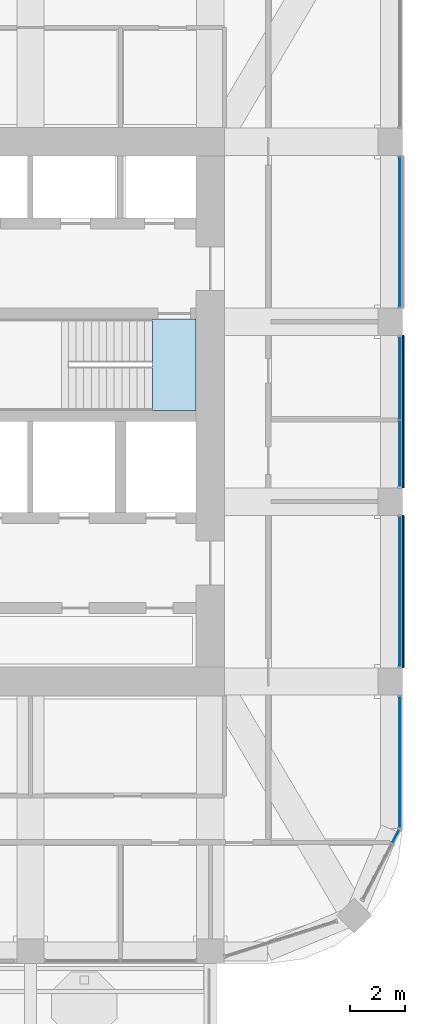
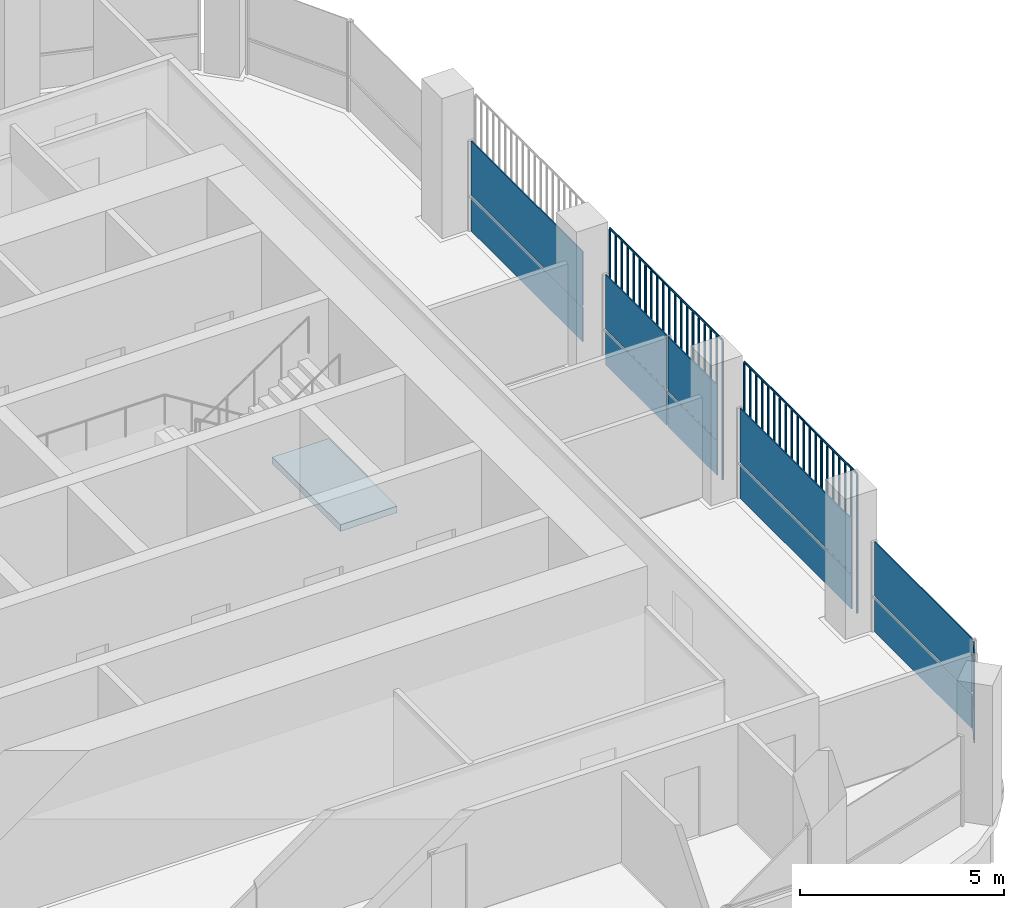
# One storey, part 11 of 21: 14 plates, 1 slab, 6 elements without a shape of their own.
"""IFC4 building model written with IfcOpenShell, lengths in metres."""

from ifc_helpers import new_model, si_unit, direction, frame, origin, origin_2d, place, context, subcontext, project, spatial, polyline, rectangle, outline, extrude, material, layer, layer_set, type_object, element, aggregate, save


model = new_model("IFC4")

# Units and contexts
model_context = context("Model", 3, precision=1e-05, world=origin(), true_north=direction((0.0, 1.0)))
body_context = subcontext(model_context, "Body", "Model", "MODEL_VIEW")
ifc_project = project(units=[si_unit("LENGTHUNIT", "METRE"), si_unit("AREAUNIT", "SQUARE_METRE"), si_unit("VOLUMEUNIT", "CUBIC_METRE"), si_unit("PLANEANGLEUNIT", "RADIAN"), si_unit("MASSUNIT", "GRAM", prefix="KILO")], contexts=[model_context])

# Site, building, storey
site_placement = place(None, origin())
site = spatial("IfcSite", under=ifc_project, at=site_placement, CompositionType="ELEMENT")
building_placement = place(site_placement, origin())
building = spatial("IfcBuilding", under=site, at=building_placement, Name="Cobogo Forest Laboratory Tower", CompositionType="ELEMENT")
storey_placement = place(building_placement, frame((0.0, 0.0, 283.800048828125)))
storey = spatial("IfcBuildingStorey", under=building, at=storey_placement, Name="L65", CompositionType="ELEMENT", Elevation=283.800048828125)

# Curtain wall, plates
ifc_material_1 = material(Name="Aluminium curtain wall", Category="aluminium")
curtain_wall_type = type_object("IfcCurtainWallType", Name="CW-2 unitised curtain wall, solar control glazing, laboratory floors zones C and D", PredefinedType="USERDEFINED", material=ifc_material_1)
curtain_wall_1_placement = place(storey_placement, origin())
curtain_wall_1 = element("IfcCurtainWall", 1, at=curtain_wall_1_placement, inside=storey, type_object=curtain_wall_type, Name="Curtain wall 06 L65", ObjectType="UNITISED CURTAIN WALL", PredefinedType="USERDEFINED")
ifc_material_2 = material(Name="Solar control insulated glass", Category="glass")
ifc_layer_1 = layer(ifc_material_2, 0.031982421875)
ifc_layer_set_1 = layer_set([ifc_layer_1], Name="GP-2 solar control glass unit 32")
plate_type_1 = type_object("IfcPlateType", Name="GP-2 solar control glass unit 32", PredefinedType="CURTAIN_PANEL", material=ifc_layer_set_1)
plate_1_placement = place(storey_placement, frame((46.40234375, 7.51806640625, 0.0), z_axis=(0.0, 0.0, 1.0), x_axis=(0.464283778337, 0.885686498245, 0.0)))
plate_1 = element("IfcPlate", 2, at=plate_1_placement, type_object=plate_type_1, Name="CW-2 panel 2.1", PredefinedType="CURTAIN_PANEL", context=body_context, shape_type="SweptSolid", body=[
    extrude(rectangle(XDim=0.516357421875, YDim=0.031982421875, at=origin_2d()), origin(), (0.0, 0.0, 1.0), 1.02001953125),
])
plate_2_placement = place(storey_placement, frame((46.40234375, 7.51806640625, 1.079833984375), z_axis=(0.0, 0.0, 1.0), x_axis=(0.464283778337, 0.885686498245, 0.0)))
plate_2 = element("IfcPlate", 3, at=plate_2_placement, type_object=plate_type_1, Name="CW-2 panel 2.2", PredefinedType="CURTAIN_PANEL", context=body_context, shape_type="SweptSolid", body=[
    extrude(rectangle(XDim=0.516357421875, YDim=0.031982421875, at=origin_2d()), origin(), (0.0, 0.0, 1.0), 1.6201171875),
])
aggregate(curtain_wall_1, [plate_1, plate_2])

curtain_wall_2_placement = place(storey_placement, origin())
curtain_wall_2 = element("IfcCurtainWall", 4, at=curtain_wall_2_placement, inside=storey, type_object=curtain_wall_type, Name="Curtain wall 07 L65", ObjectType="UNITISED CURTAIN WALL", PredefinedType="USERDEFINED")
plate_3_placement = place(storey_placement, frame((46.550048828125, 10.25, 0.0), z_axis=(0.0, 0.0, 1.0), x_axis=(0.0, 1.0, 0.0)))
plate_3 = element("IfcPlate", 5, at=plate_3_placement, type_object=plate_type_1, Name="CW-2 panel 1.1", PredefinedType="CURTAIN_PANEL", context=body_context, shape_type="SweptSolid", body=[
    extrude(rectangle(XDim=4.780029296875, YDim=0.031982421875, at=origin_2d()), origin(), (0.0, 0.0, 1.0), 1.02001953125),
])
plate_4_placement = place(storey_placement, frame((46.550048828125, 10.25, 1.079833984375), z_axis=(0.0, 0.0, 1.0), x_axis=(0.0, 1.0, 0.0)))
plate_4 = element("IfcPlate", 6, at=plate_4_placement, type_object=plate_type_1, Name="CW-2 panel 1.2", PredefinedType="CURTAIN_PANEL", context=body_context, shape_type="SweptSolid", body=[
    extrude(rectangle(XDim=4.780029296875, YDim=0.031982421875, at=origin_2d()), origin(), (0.0, 0.0, 1.0), 1.6201171875),
])
aggregate(curtain_wall_2, [plate_3, plate_4])

curtain_wall_3_placement = place(storey_placement, origin())
curtain_wall_3 = element("IfcCurtainWall", 7, at=curtain_wall_3_placement, inside=storey, type_object=curtain_wall_type, Name="Curtain wall 08 L65", ObjectType="UNITISED CURTAIN WALL", PredefinedType="USERDEFINED")
plate_5_placement = place(storey_placement, frame((46.550048828125, 16.5, 0.0), z_axis=(0.0, 0.0, 1.0), x_axis=(0.0, 1.0, 0.0)))
plate_5 = element("IfcPlate", 8, at=plate_5_placement, type_object=plate_type_1, Name="CW-2 panel 1.1", PredefinedType="CURTAIN_PANEL", context=body_context, shape_type="SweptSolid", body=[
    extrude(rectangle(XDim=5.47998046875, YDim=0.031982421875, at=origin_2d()), origin(), (0.0, 0.0, 1.0), 1.02001953125),
])
plate_6_placement = place(storey_placement, frame((46.550048828125, 16.5, 1.079833984375), z_axis=(0.0, 0.0, 1.0), x_axis=(0.0, 1.0, 0.0)))
plate_6 = element("IfcPlate", 9, at=plate_6_placement, type_object=plate_type_1, Name="CW-2 panel 1.2", PredefinedType="CURTAIN_PANEL", context=body_context, shape_type="SweptSolid", body=[
    extrude(rectangle(XDim=5.47998046875, YDim=0.031982421875, at=origin_2d()), origin(), (0.0, 0.0, 1.0), 1.6201171875),
])
aggregate(curtain_wall_3, [plate_5, plate_6])

curtain_wall_4_placement = place(storey_placement, origin())
curtain_wall_4 = element("IfcCurtainWall", 10, at=curtain_wall_4_placement, inside=storey, type_object=curtain_wall_type, Name="Curtain wall 09 L65", ObjectType="UNITISED CURTAIN WALL", PredefinedType="USERDEFINED")
plate_7_placement = place(storey_placement, frame((46.550048828125, 21.56494140625, 0.0), z_axis=(0.0, 0.0, 1.0), x_axis=(0.0, 1.0, 0.0)))
plate_7 = element("IfcPlate", 11, at=plate_7_placement, type_object=plate_type_1, Name="CW-2 panel 1.1", PredefinedType="CURTAIN_PANEL", context=body_context, shape_type="SweptSolid", body=[
    extrude(rectangle(XDim=2.409912109375, YDim=0.031982421875, at=origin_2d()), origin(), (0.0, 0.0, 1.0), 1.02001953125),
])
plate_8_placement = place(storey_placement, frame((46.550048828125, 21.56494140625, 1.079833984375), z_axis=(0.0, 0.0, 1.0), x_axis=(0.0, 1.0, 0.0)))
plate_8 = element("IfcPlate", 12, at=plate_8_placement, type_object=plate_type_1, Name="CW-2 panel 1.2", PredefinedType="CURTAIN_PANEL", context=body_context, shape_type="SweptSolid", body=[
    extrude(rectangle(XDim=2.409912109375, YDim=0.031982421875, at=origin_2d()), origin(), (0.0, 0.0, 1.0), 1.6201171875),
])
plate_9_placement = place(storey_placement, frame((46.550048828125, 24.3349609375, 0.0), z_axis=(0.0, 0.0, 1.0), x_axis=(0.0, 1.0, 0.0)))
plate_9 = element("IfcPlate", 13, at=plate_9_placement, type_object=plate_type_1, Name="CW-2 panel 2.1", PredefinedType="CURTAIN_PANEL", context=body_context, shape_type="SweptSolid", body=[
    extrude(rectangle(XDim=3.010009765625, YDim=0.031982421875, at=origin_2d()), origin(), (0.0, 0.0, 1.0), 1.02001953125),
])
plate_10_placement = place(storey_placement, frame((46.550048828125, 24.3349609375, 1.079833984375), z_axis=(0.0, 0.0, 1.0), x_axis=(0.0, 1.0, 0.0)))
plate_10 = element("IfcPlate", 14, at=plate_10_placement, type_object=plate_type_1, Name="CW-2 panel 2.2", PredefinedType="CURTAIN_PANEL", context=body_context, shape_type="SweptSolid", body=[
    extrude(rectangle(XDim=3.010009765625, YDim=0.031982421875, at=origin_2d()), origin(), (0.0, 0.0, 1.0), 1.6201171875),
])
aggregate(curtain_wall_4, [plate_7, plate_8, plate_9, plate_10])

curtain_wall_5_placement = place(storey_placement, origin())
curtain_wall_5 = element("IfcCurtainWall", 15, at=curtain_wall_5_placement, inside=storey, type_object=curtain_wall_type, Name="Curtain wall 10 L65", ObjectType="UNITISED CURTAIN WALL", PredefinedType="USERDEFINED")
plate_11_placement = place(storey_placement, frame((46.550048828125, 29.699951171875, 0.0), z_axis=(0.0, 0.0, 1.0), x_axis=(0.0, 1.0, 0.0)))
plate_11 = element("IfcPlate", 16, at=plate_11_placement, type_object=plate_type_1, Name="CW-2 panel 1.1", PredefinedType="CURTAIN_PANEL", context=body_context, shape_type="SweptSolid", body=[
    extrude(rectangle(XDim=5.47998046875, YDim=0.031982421875, at=origin_2d()), origin(), (0.0, 0.0, 1.0), 1.02001953125),
])
plate_12_placement = place(storey_placement, frame((46.550048828125, 29.699951171875, 1.079833984375), z_axis=(0.0, 0.0, 1.0), x_axis=(0.0, 1.0, 0.0)))
plate_12 = element("IfcPlate", 17, at=plate_12_placement, type_object=plate_type_1, Name="CW-2 panel 1.2", PredefinedType="CURTAIN_PANEL", context=body_context, shape_type="SweptSolid", body=[
    extrude(rectangle(XDim=5.47998046875, YDim=0.031982421875, at=origin_2d()), origin(), (0.0, 0.0, 1.0), 1.6201171875),
])
aggregate(curtain_wall_5, [plate_11, plate_12])

# Stair, slab
ifc_material_3 = material(Name="Precast concrete HA-40 (C40/50)", Category="concrete")
stair_type = type_object("IfcStairType", Name="ST24 exit stair 24 risers", PredefinedType="HALF_TURN_STAIR", material=ifc_material_3)
stair_placement = place(storey_placement, origin())
stair = element("IfcStair", 18, at=stair_placement, inside=storey, type_object=stair_type, Name="Stair 2 L65 to L66", PredefinedType="HALF_TURN_STAIR")
ifc_material_4 = material(Name="Concrete HA-40 (C40/50)", Category="concrete")
ifc_layer_2 = layer(ifc_material_4, 0.199951171875)
ifc_layer_set_2 = layer_set([ifc_layer_2], Name="SL stair landing 200")
slab_type = type_object("IfcSlabType", Name="SL stair landing 200", PredefinedType="LANDING", material=ifc_layer_set_2)
slab_placement = place(storey_placement, frame((0.0, 0.0, -0.199951171875)))
slab = element("IfcSlab", 19, at=slab_placement, type_object=slab_type, Name="ST2 landing 1", PredefinedType="LANDING", context=body_context, shape_type="SweptSolid", body=[
    extrude(outline(polyline([(37.472900390625, 23.14990234375), (39.074951171875, 23.14990234375), (39.074951171875, 26.5), (37.472900390625, 26.5), (37.472900390625, 23.14990234375)])), origin(), (0.0, 0.0, 1.0), 0.199951171875),
])
aggregate(stair, [slab])

# Plates
ifc_material_5 = material(Name="Terracotta", Category="masonry")
plate_type_2 = type_object("IfcPlateType", Name="TB1 terracotta baguette screen", PredefinedType="USERDEFINED", material=ifc_material_5)
plate_13_placement = place(storey_placement, frame((46.677978515625, 13.731201171875, -0.150146484375)))
element("IfcPlate", 20, at=plate_13_placement, inside=storey, type_object=plate_type_2, Name="Baguette screen E1 L65", ObjectType="BAGUETTE SCREEN", PredefinedType="USERDEFINED", context=body_context, shape_type="SweptSolid", body=[
    extrude(outline(polyline([(0.02880859375, 0.011962890625), (0.011962890625, 0.02880859375), (-0.011962890625, 0.02880859375), (-0.02880859375, 0.011962890625), (-0.02880859375, -0.011962890625), (-0.011962890625, -0.02880859375), (0.011962890625, -0.02880859375), (0.02880859375, -0.011962890625), (0.02880859375, 0.011962890625)])), frame((0.0, 0.0, 4.168701171875), z_axis=(0.0, 1.0, 0.0), x_axis=(-1.0, 0.0, 0.0)), (0.0, 0.0, 1.0), 5.53759765625),
    extrude(outline(polyline([(0.02880859375, 0.011962890625), (0.011962890625, 0.02880859375), (-0.011962890625, 0.02880859375), (-0.02880859375, 0.011962890625), (-0.02880859375, -0.011962890625), (-0.011962890625, -0.02880859375), (0.011962890625, -0.02880859375), (0.02880859375, -0.011962890625), (0.02880859375, 0.011962890625)])), origin(), (0.0, 0.0, 1.0), 4.137451171875),
    extrude(outline(polyline([(0.02880859375, 0.011962890625), (0.011962890625, 0.02880859375), (-0.011962890625, 0.02880859375), (-0.02880859375, 0.011962890625), (-0.02880859375, -0.011962890625), (-0.011962890625, -0.02880859375), (0.011962890625, -0.02880859375), (0.02880859375, -0.011962890625), (0.02880859375, 0.011962890625)])), frame((0.0, 0.29150390625, 0.0)), (0.0, 0.0, 1.0), 4.137451171875),
    extrude(outline(polyline([(0.02880859375, 0.011962890625), (0.011962890625, 0.02880859375), (-0.011962890625, 0.02880859375), (-0.02880859375, 0.011962890625), (-0.02880859375, -0.011962890625), (-0.011962890625, -0.02880859375), (0.011962890625, -0.02880859375), (0.02880859375, -0.011962890625), (0.02880859375, 0.011962890625)])), frame((0.0, 0.5830078125, 0.0)), (0.0, 0.0, 1.0), 4.137451171875),
    extrude(outline(polyline([(0.02880859375, 0.011962890625), (0.011962890625, 0.02880859375), (-0.011962890625, 0.02880859375), (-0.02880859375, 0.011962890625), (-0.02880859375, -0.011962890625), (-0.011962890625, -0.02880859375), (0.011962890625, -0.02880859375), (0.02880859375, -0.011962890625), (0.02880859375, 0.011962890625)])), frame((0.0, 0.874267578125, 0.0)), (0.0, 0.0, 1.0), 4.137451171875),
    extrude(outline(polyline([(0.02880859375, 0.011962890625), (0.011962890625, 0.02880859375), (-0.011962890625, 0.02880859375), (-0.02880859375, 0.011962890625), (-0.02880859375, -0.011962890625), (-0.011962890625, -0.02880859375), (0.011962890625, -0.02880859375), (0.02880859375, -0.011962890625), (0.02880859375, 0.011962890625)])), frame((0.0, 1.165771484375, 0.0)), (0.0, 0.0, 1.0), 4.137451171875),
    extrude(outline(polyline([(0.02880859375, 0.011962890625), (0.011962890625, 0.02880859375), (-0.011962890625, 0.02880859375), (-0.02880859375, 0.011962890625), (-0.02880859375, -0.011962890625), (-0.011962890625, -0.02880859375), (0.011962890625, -0.02880859375), (0.02880859375, -0.011962890625), (0.02880859375, 0.011962890625)])), frame((0.0, 1.457275390625, 0.0)), (0.0, 0.0, 1.0), 4.137451171875),
    extrude(outline(polyline([(0.02880859375, 0.011962890625), (0.011962890625, 0.02880859375), (-0.011962890625, 0.02880859375), (-0.02880859375, 0.011962890625), (-0.02880859375, -0.011962890625), (-0.011962890625, -0.02880859375), (0.011962890625, -0.02880859375), (0.02880859375, -0.011962890625), (0.02880859375, 0.011962890625)])), frame((0.0, 1.748779296875, 0.0)), (0.0, 0.0, 1.0), 4.137451171875),
    extrude(outline(polyline([(0.02880859375, 0.011962890625), (0.011962890625, 0.02880859375), (-0.011962890625, 0.02880859375), (-0.02880859375, 0.011962890625), (-0.02880859375, -0.011962890625), (-0.011962890625, -0.02880859375), (0.011962890625, -0.02880859375), (0.02880859375, -0.011962890625), (0.02880859375, 0.011962890625)])), frame((0.0, 2.040283203125, 0.0)), (0.0, 0.0, 1.0), 4.137451171875),
    extrude(outline(polyline([(0.02880859375, 0.011962890625), (0.011962890625, 0.02880859375), (-0.011962890625, 0.02880859375), (-0.02880859375, 0.011962890625), (-0.02880859375, -0.011962890625), (-0.011962890625, -0.02880859375), (0.011962890625, -0.02880859375), (0.02880859375, -0.011962890625), (0.02880859375, 0.011962890625)])), frame((0.0, 2.33154296875, 0.0)), (0.0, 0.0, 1.0), 4.137451171875),
    extrude(outline(polyline([(0.02880859375, 0.011962890625), (0.011962890625, 0.02880859375), (-0.011962890625, 0.02880859375), (-0.02880859375, 0.011962890625), (-0.02880859375, -0.011962890625), (-0.011962890625, -0.02880859375), (0.011962890625, -0.02880859375), (0.02880859375, -0.011962890625), (0.02880859375, 0.011962890625)])), frame((0.0, 2.623046875, 0.0)), (0.0, 0.0, 1.0), 4.137451171875),
    extrude(outline(polyline([(0.02880859375, 0.011962890625), (0.011962890625, 0.02880859375), (-0.011962890625, 0.02880859375), (-0.02880859375, 0.011962890625), (-0.02880859375, -0.011962890625), (-0.011962890625, -0.02880859375), (0.011962890625, -0.02880859375), (0.02880859375, -0.011962890625), (0.02880859375, 0.011962890625)])), frame((0.0, 2.91455078125, 0.0)), (0.0, 0.0, 1.0), 4.137451171875),
    extrude(outline(polyline([(0.02880859375, 0.011962890625), (0.011962890625, 0.02880859375), (-0.011962890625, 0.02880859375), (-0.02880859375, 0.011962890625), (-0.02880859375, -0.011962890625), (-0.011962890625, -0.02880859375), (0.011962890625, -0.02880859375), (0.02880859375, -0.011962890625), (0.02880859375, 0.011962890625)])), frame((0.0, 3.2060546875, 0.0)), (0.0, 0.0, 1.0), 4.137451171875),
    extrude(outline(polyline([(0.02880859375, 0.011962890625), (0.011962890625, 0.02880859375), (-0.011962890625, 0.02880859375), (-0.02880859375, 0.011962890625), (-0.02880859375, -0.011962890625), (-0.011962890625, -0.02880859375), (0.011962890625, -0.02880859375), (0.02880859375, -0.011962890625), (0.02880859375, 0.011962890625)])), frame((0.0, 3.497314453125, 0.0)), (0.0, 0.0, 1.0), 4.137451171875),
    extrude(outline(polyline([(0.02880859375, 0.011962890625), (0.011962890625, 0.02880859375), (-0.011962890625, 0.02880859375), (-0.02880859375, 0.011962890625), (-0.02880859375, -0.011962890625), (-0.011962890625, -0.02880859375), (0.011962890625, -0.02880859375), (0.02880859375, -0.011962890625), (0.02880859375, 0.011962890625)])), frame((0.0, 3.788818359375, 0.0)), (0.0, 0.0, 1.0), 4.137451171875),
    extrude(outline(polyline([(0.02880859375, 0.011962890625), (0.011962890625, 0.02880859375), (-0.011962890625, 0.02880859375), (-0.02880859375, 0.011962890625), (-0.02880859375, -0.011962890625), (-0.011962890625, -0.02880859375), (0.011962890625, -0.02880859375), (0.02880859375, -0.011962890625), (0.02880859375, 0.011962890625)])), frame((0.0, 4.080322265625, 0.0)), (0.0, 0.0, 1.0), 4.137451171875),
    extrude(outline(polyline([(0.02880859375, 0.011962890625), (0.011962890625, 0.02880859375), (-0.011962890625, 0.02880859375), (-0.02880859375, 0.011962890625), (-0.02880859375, -0.011962890625), (-0.011962890625, -0.02880859375), (0.011962890625, -0.02880859375), (0.02880859375, -0.011962890625), (0.02880859375, 0.011962890625)])), frame((0.0, 4.371826171875, 0.0)), (0.0, 0.0, 1.0), 4.137451171875),
    extrude(outline(polyline([(0.02880859375, 0.011962890625), (0.011962890625, 0.02880859375), (-0.011962890625, 0.02880859375), (-0.02880859375, 0.011962890625), (-0.02880859375, -0.011962890625), (-0.011962890625, -0.02880859375), (0.011962890625, -0.02880859375), (0.02880859375, -0.011962890625), (0.02880859375, 0.011962890625)])), frame((0.0, 4.663330078125, 0.0)), (0.0, 0.0, 1.0), 4.137451171875),
    extrude(outline(polyline([(0.02880859375, 0.011962890625), (0.011962890625, 0.02880859375), (-0.011962890625, 0.02880859375), (-0.02880859375, 0.011962890625), (-0.02880859375, -0.011962890625), (-0.011962890625, -0.02880859375), (0.011962890625, -0.02880859375), (0.02880859375, -0.011962890625), (0.02880859375, 0.011962890625)])), frame((0.0, 4.95458984375, 0.0)), (0.0, 0.0, 1.0), 4.137451171875),
    extrude(outline(polyline([(0.02880859375, 0.011962890625), (0.011962890625, 0.02880859375), (-0.011962890625, 0.02880859375), (-0.02880859375, 0.011962890625), (-0.02880859375, -0.011962890625), (-0.011962890625, -0.02880859375), (0.011962890625, -0.02880859375), (0.02880859375, -0.011962890625), (0.02880859375, 0.011962890625)])), frame((0.0, 5.24609375, 0.0)), (0.0, 0.0, 1.0), 4.137451171875),
    extrude(outline(polyline([(0.02880859375, 0.011962890625), (0.011962890625, 0.02880859375), (-0.011962890625, 0.02880859375), (-0.02880859375, 0.011962890625), (-0.02880859375, -0.011962890625), (-0.011962890625, -0.02880859375), (0.011962890625, -0.02880859375), (0.02880859375, -0.011962890625), (0.02880859375, 0.011962890625)])), frame((0.0, 5.53759765625, 0.0)), (0.0, 0.0, 1.0), 4.137451171875),
])
plate_14_placement = place(storey_placement, frame((46.677978515625, 20.331298828125, -0.150146484375)))
element("IfcPlate", 21, at=plate_14_placement, inside=storey, type_object=plate_type_2, Name="Baguette screen E2 L65", ObjectType="BAGUETTE SCREEN", PredefinedType="USERDEFINED", context=body_context, shape_type="SweptSolid", body=[
    extrude(outline(polyline([(0.02880859375, 0.011962890625), (0.011962890625, 0.02880859375), (-0.011962890625, 0.02880859375), (-0.02880859375, 0.011962890625), (-0.02880859375, -0.011962890625), (-0.011962890625, -0.02880859375), (0.011962890625, -0.02880859375), (0.02880859375, -0.011962890625), (0.02880859375, 0.011962890625)])), frame((0.0, 0.0, 4.168701171875), z_axis=(0.0, 1.0, 0.0), x_axis=(-1.0, 0.0, 0.0)), (0.0, 0.0, 1.0), 5.537353515625),
    extrude(outline(polyline([(0.02880859375, 0.011962890625), (0.011962890625, 0.02880859375), (-0.011962890625, 0.02880859375), (-0.02880859375, 0.011962890625), (-0.02880859375, -0.011962890625), (-0.011962890625, -0.02880859375), (0.011962890625, -0.02880859375), (0.02880859375, -0.011962890625), (0.02880859375, 0.011962890625)])), origin(), (0.0, 0.0, 1.0), 4.137451171875),
    extrude(outline(polyline([(0.02880859375, 0.011962890625), (0.011962890625, 0.02880859375), (-0.011962890625, 0.02880859375), (-0.02880859375, 0.011962890625), (-0.02880859375, -0.011962890625), (-0.011962890625, -0.02880859375), (0.011962890625, -0.02880859375), (0.02880859375, -0.011962890625), (0.02880859375, 0.011962890625)])), frame((0.0, 0.29150390625, 0.0)), (0.0, 0.0, 1.0), 4.137451171875),
    extrude(outline(polyline([(0.02880859375, 0.011962890625), (0.011962890625, 0.02880859375), (-0.011962890625, 0.02880859375), (-0.02880859375, 0.011962890625), (-0.02880859375, -0.011962890625), (-0.011962890625, -0.02880859375), (0.011962890625, -0.02880859375), (0.02880859375, -0.011962890625), (0.02880859375, 0.011962890625)])), frame((0.0, 0.582763671875, 0.0)), (0.0, 0.0, 1.0), 4.137451171875),
    extrude(outline(polyline([(0.02880859375, 0.011962890625), (0.011962890625, 0.02880859375), (-0.011962890625, 0.02880859375), (-0.02880859375, 0.011962890625), (-0.02880859375, -0.011962890625), (-0.011962890625, -0.02880859375), (0.011962890625, -0.02880859375), (0.02880859375, -0.011962890625), (0.02880859375, 0.011962890625)])), frame((0.0, 0.874267578125, 0.0)), (0.0, 0.0, 1.0), 4.137451171875),
    extrude(outline(polyline([(0.02880859375, 0.011962890625), (0.011962890625, 0.02880859375), (-0.011962890625, 0.02880859375), (-0.02880859375, 0.011962890625), (-0.02880859375, -0.011962890625), (-0.011962890625, -0.02880859375), (0.011962890625, -0.02880859375), (0.02880859375, -0.011962890625), (0.02880859375, 0.011962890625)])), frame((0.0, 1.165771484375, 0.0)), (0.0, 0.0, 1.0), 4.137451171875),
    extrude(outline(polyline([(0.02880859375, 0.011962890625), (0.011962890625, 0.02880859375), (-0.011962890625, 0.02880859375), (-0.02880859375, 0.011962890625), (-0.02880859375, -0.011962890625), (-0.011962890625, -0.02880859375), (0.011962890625, -0.02880859375), (0.02880859375, -0.011962890625), (0.02880859375, 0.011962890625)])), frame((0.0, 1.457275390625, 0.0)), (0.0, 0.0, 1.0), 4.137451171875),
    extrude(outline(polyline([(0.02880859375, 0.011962890625), (0.011962890625, 0.02880859375), (-0.011962890625, 0.02880859375), (-0.02880859375, 0.011962890625), (-0.02880859375, -0.011962890625), (-0.011962890625, -0.02880859375), (0.011962890625, -0.02880859375), (0.02880859375, -0.011962890625), (0.02880859375, 0.011962890625)])), frame((0.0, 1.74853515625, 0.0)), (0.0, 0.0, 1.0), 4.137451171875),
    extrude(outline(polyline([(0.02880859375, 0.011962890625), (0.011962890625, 0.02880859375), (-0.011962890625, 0.02880859375), (-0.02880859375, 0.011962890625), (-0.02880859375, -0.011962890625), (-0.011962890625, -0.02880859375), (0.011962890625, -0.02880859375), (0.02880859375, -0.011962890625), (0.02880859375, 0.011962890625)])), frame((0.0, 2.0400390625, 0.0)), (0.0, 0.0, 1.0), 4.137451171875),
    extrude(outline(polyline([(0.02880859375, 0.011962890625), (0.011962890625, 0.02880859375), (-0.011962890625, 0.02880859375), (-0.02880859375, 0.011962890625), (-0.02880859375, -0.011962890625), (-0.011962890625, -0.02880859375), (0.011962890625, -0.02880859375), (0.02880859375, -0.011962890625), (0.02880859375, 0.011962890625)])), frame((0.0, 2.33154296875, 0.0)), (0.0, 0.0, 1.0), 4.137451171875),
    extrude(outline(polyline([(0.02880859375, 0.011962890625), (0.011962890625, 0.02880859375), (-0.011962890625, 0.02880859375), (-0.02880859375, 0.011962890625), (-0.02880859375, -0.011962890625), (-0.011962890625, -0.02880859375), (0.011962890625, -0.02880859375), (0.02880859375, -0.011962890625), (0.02880859375, 0.011962890625)])), frame((0.0, 2.623046875, 0.0)), (0.0, 0.0, 1.0), 4.137451171875),
    extrude(outline(polyline([(0.02880859375, 0.011962890625), (0.011962890625, 0.02880859375), (-0.011962890625, 0.02880859375), (-0.02880859375, 0.011962890625), (-0.02880859375, -0.011962890625), (-0.011962890625, -0.02880859375), (0.011962890625, -0.02880859375), (0.02880859375, -0.011962890625), (0.02880859375, 0.011962890625)])), frame((0.0, 2.914306640625, 0.0)), (0.0, 0.0, 1.0), 4.137451171875),
    extrude(outline(polyline([(0.02880859375, 0.011962890625), (0.011962890625, 0.02880859375), (-0.011962890625, 0.02880859375), (-0.02880859375, 0.011962890625), (-0.02880859375, -0.011962890625), (-0.011962890625, -0.02880859375), (0.011962890625, -0.02880859375), (0.02880859375, -0.011962890625), (0.02880859375, 0.011962890625)])), frame((0.0, 3.205810546875, 0.0)), (0.0, 0.0, 1.0), 4.137451171875),
    extrude(outline(polyline([(0.02880859375, 0.011962890625), (0.011962890625, 0.02880859375), (-0.011962890625, 0.02880859375), (-0.02880859375, 0.011962890625), (-0.02880859375, -0.011962890625), (-0.011962890625, -0.02880859375), (0.011962890625, -0.02880859375), (0.02880859375, -0.011962890625), (0.02880859375, 0.011962890625)])), frame((0.0, 3.497314453125, 0.0)), (0.0, 0.0, 1.0), 4.137451171875),
    extrude(outline(polyline([(0.02880859375, 0.011962890625), (0.011962890625, 0.02880859375), (-0.011962890625, 0.02880859375), (-0.02880859375, 0.011962890625), (-0.02880859375, -0.011962890625), (-0.011962890625, -0.02880859375), (0.011962890625, -0.02880859375), (0.02880859375, -0.011962890625), (0.02880859375, 0.011962890625)])), frame((0.0, 3.788818359375, 0.0)), (0.0, 0.0, 1.0), 4.137451171875),
    extrude(outline(polyline([(0.02880859375, 0.011962890625), (0.011962890625, 0.02880859375), (-0.011962890625, 0.02880859375), (-0.02880859375, 0.011962890625), (-0.02880859375, -0.011962890625), (-0.011962890625, -0.02880859375), (0.011962890625, -0.02880859375), (0.02880859375, -0.011962890625), (0.02880859375, 0.011962890625)])), frame((0.0, 4.080078125, 0.0)), (0.0, 0.0, 1.0), 4.137451171875),
    extrude(outline(polyline([(0.02880859375, 0.011962890625), (0.011962890625, 0.02880859375), (-0.011962890625, 0.02880859375), (-0.02880859375, 0.011962890625), (-0.02880859375, -0.011962890625), (-0.011962890625, -0.02880859375), (0.011962890625, -0.02880859375), (0.02880859375, -0.011962890625), (0.02880859375, 0.011962890625)])), frame((0.0, 4.37158203125, 0.0)), (0.0, 0.0, 1.0), 4.137451171875),
    extrude(outline(polyline([(0.02880859375, 0.011962890625), (0.011962890625, 0.02880859375), (-0.011962890625, 0.02880859375), (-0.02880859375, 0.011962890625), (-0.02880859375, -0.011962890625), (-0.011962890625, -0.02880859375), (0.011962890625, -0.02880859375), (0.02880859375, -0.011962890625), (0.02880859375, 0.011962890625)])), frame((0.0, 4.6630859375, 0.0)), (0.0, 0.0, 1.0), 4.137451171875),
    extrude(outline(polyline([(0.02880859375, 0.011962890625), (0.011962890625, 0.02880859375), (-0.011962890625, 0.02880859375), (-0.02880859375, 0.011962890625), (-0.02880859375, -0.011962890625), (-0.011962890625, -0.02880859375), (0.011962890625, -0.02880859375), (0.02880859375, -0.011962890625), (0.02880859375, 0.011962890625)])), frame((0.0, 4.95458984375, 0.0)), (0.0, 0.0, 1.0), 4.137451171875),
    extrude(outline(polyline([(0.02880859375, 0.011962890625), (0.011962890625, 0.02880859375), (-0.011962890625, 0.02880859375), (-0.02880859375, 0.011962890625), (-0.02880859375, -0.011962890625), (-0.011962890625, -0.02880859375), (0.011962890625, -0.02880859375), (0.02880859375, -0.011962890625), (0.02880859375, 0.011962890625)])), frame((0.0, 5.245849609375, 0.0)), (0.0, 0.0, 1.0), 4.137451171875),
    extrude(outline(polyline([(0.02880859375, 0.011962890625), (0.011962890625, 0.02880859375), (-0.011962890625, 0.02880859375), (-0.02880859375, 0.011962890625), (-0.02880859375, -0.011962890625), (-0.011962890625, -0.02880859375), (0.011962890625, -0.02880859375), (0.02880859375, -0.011962890625), (0.02880859375, 0.011962890625)])), frame((0.0, 5.537353515625, 0.0)), (0.0, 0.0, 1.0), 4.137451171875),
])

save(model, "model.ifc")
